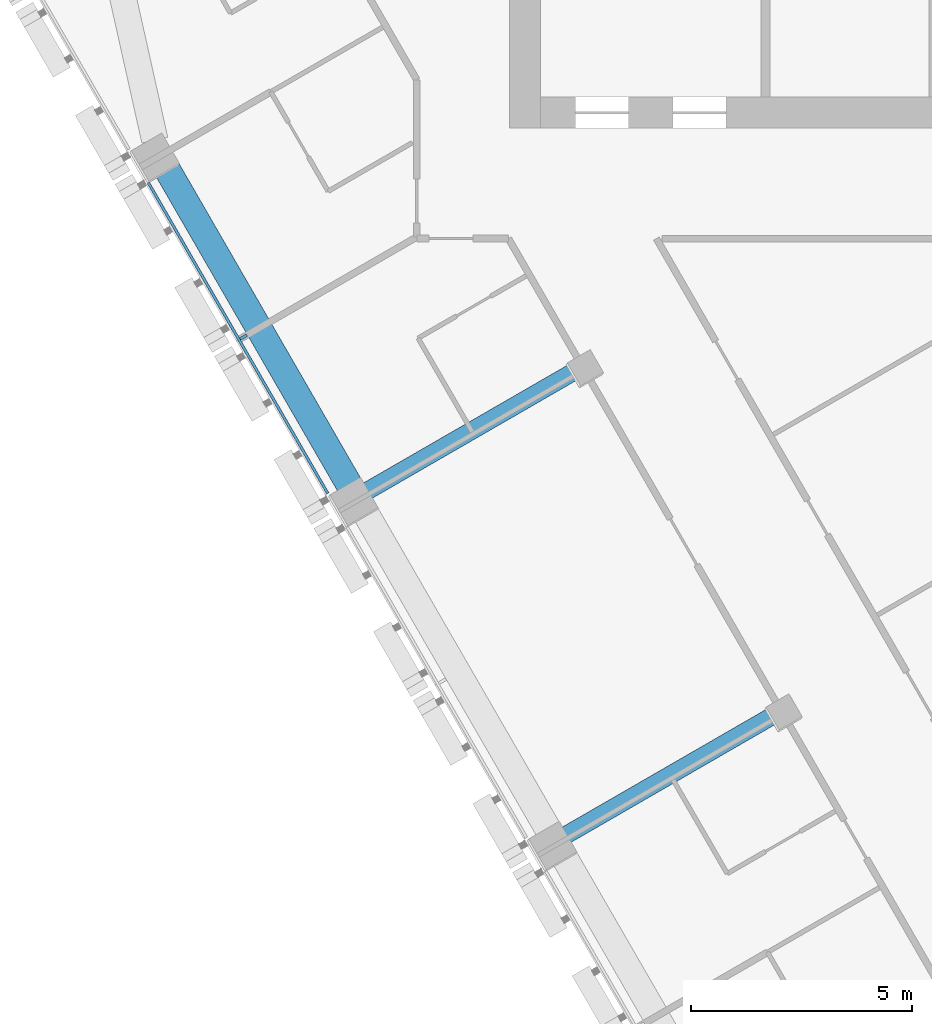
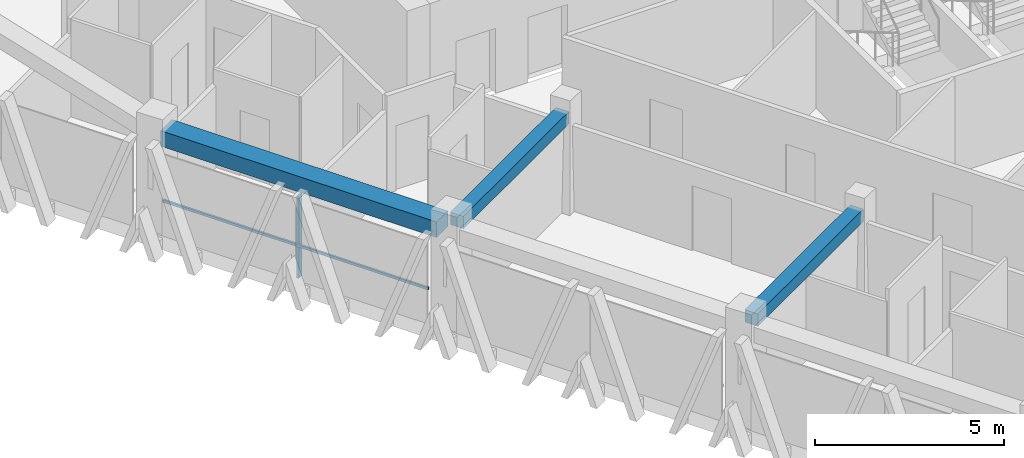
# One storey, part 3 of 16: 3 beams, 2 members, 1 element without a shape of its own.
"""IFC4 building model written with IfcOpenShell, lengths in metres."""

from ifc_helpers import new_model, si_unit, direction, frame, origin, origin_2d, place, context, subcontext, project, spatial, rectangle, extrude, material, layer, layer_set, material_profile, profile_set, type_object, element, aggregate, save


model = new_model("IFC4")

# Units and contexts
model_context = context("Model", 3, precision=1e-05, world=origin(), true_north=direction((0.0, 1.0)))
body_context = subcontext(model_context, "Body", "Model", "MODEL_VIEW")
ifc_project = project(units=[si_unit("LENGTHUNIT", "METRE"), si_unit("AREAUNIT", "SQUARE_METRE"), si_unit("VOLUMEUNIT", "CUBIC_METRE"), si_unit("PLANEANGLEUNIT", "RADIAN"), si_unit("MASSUNIT", "GRAM", prefix="KILO")], contexts=[model_context])

# Site, building, storey
site_placement = place(None, origin())
site = spatial("IfcSite", under=ifc_project, at=site_placement, CompositionType="ELEMENT")
building_placement = place(site_placement, origin())
building = spatial("IfcBuilding", under=site, at=building_placement, Name="Altiplano Prism Tower", CompositionType="ELEMENT")
storey_placement = place(building_placement, frame((0.0, 0.0, 198.0)))
storey = spatial("IfcBuildingStorey", under=building, at=storey_placement, Name="L51", CompositionType="ELEMENT", Elevation=198.0)

# Curtain wall, members
ifc_material_1 = material(Name="Aluminium and glass", Category="aluminium")
ifc_layer = layer(ifc_material_1, 0.280029296875)
ifc_layer_set = layer_set([ifc_layer], Name="Aluminium and glass")
curtain_wall_type = type_object("IfcCurtainWallType", Name="CW1 typical co-living unitised curtain wall", PredefinedType="NOTDEFINED", material=ifc_layer_set)
curtain_wall_placement = place(storey_placement, origin())
curtain_wall = element("IfcCurtainWall", 1, at=curtain_wall_placement, inside=storey, type_object=curtain_wall_type, Name="CW1 curtain wall south-west face L51", PredefinedType="NOTDEFINED")
ifc_material_2 = material(Name="Aluminium", Category="aluminium")
ifc_material_profile_1 = material_profile(ifc_material_2, rectangle(XDim=0.179931640625, YDim=0.06494140625, at=origin_2d()), Name="CW1 mullion 65 x 180")
ifc_profile_set_1 = profile_set([ifc_material_profile_1], Name="Aluminium")
member_type_1 = type_object("IfcMemberType", Name="CW1 mullion 65 x 180", PredefinedType="MULLION", material=ifc_profile_set_1)
member_1_placement = place(storey_placement, frame((66.277587890625, 87.97021484375, 0.0), z_axis=(0.0, 0.0, 1.0), x_axis=(0.86602540909, 0.49999999081, 0.0)))
member_1 = element("IfcMember", 2, at=member_1_placement, type_object=member_type_1, Name="CW1 mullion", PredefinedType="MULLION", context=body_context, shape_type="SweptSolid", body=[
    extrude(rectangle(XDim=0.179931640625, YDim=0.06494140625, at=origin_2d()), origin(), (0.0, 0.0, 1.0), 2.64990234375),
])
ifc_material_profile_2 = material_profile(ifc_material_2, rectangle(XDim=0.06005859375, YDim=0.080078125, at=origin_2d()), Name="CW1 transom 80 x 60")
ifc_profile_set_2 = profile_set([ifc_material_profile_2], Name="Aluminium")
member_type_2 = type_object("IfcMemberType", Name="CW1 transom 80 x 60", PredefinedType="USERDEFINED", material=ifc_profile_set_2)
member_2_placement = place(storey_placement, frame((64.1240234375, 91.46044921875, 1.10009765625), z_axis=(0.499977514064, -0.866038385657, 0.0), x_axis=(0.866038385657, 0.499977514064, 0.0)))
member_2 = element("IfcMember", 3, at=member_2_placement, type_object=member_type_2, Name="CW1 transom", ObjectType="TRANSOM", PredefinedType="USERDEFINED", context=body_context, shape_type="SweptSolid", body=[
    extrude(rectangle(XDim=0.06005859375, YDim=0.080078125, at=origin_2d()), origin(), (0.0, 0.0, 1.0), 8.119873046875),
])
aggregate(curtain_wall, [member_1, member_2])

# Beams
ifc_material_3 = material(Name="Concrete C60/75", Category="concrete")
ifc_material_profile_3 = material_profile(ifc_material_3, rectangle(XDim=0.60009765625, YDim=0.5, at=origin_2d()), Name="Edge beam 600x500")
ifc_profile_set_3 = profile_set([ifc_material_profile_3], Name="Concrete C60/75")
beam_type_1 = type_object("IfcBeamType", Name="Edge beam 600x500", PredefinedType="SPANDREL", material=ifc_profile_set_3)
beam_1_placement = place(storey_placement, frame((64.47265625, 91.893310546875, 2.89990234375), z_axis=(0.499993714791, -0.866029032521, 0.0), x_axis=(0.866029032521, 0.499993714791, 0.0)))
element("IfcBeam", 4, at=beam_1_placement, inside=storey, type_object=beam_type_1, Name="Edge beam P11-P12 L52", PredefinedType="SPANDREL", context=body_context, shape_type="SweptSolid", body=[
    extrude(rectangle(XDim=0.60009765625, YDim=0.5, at=origin_2d()), origin(), (0.0, 0.0, 1.0), 8.43994140625),
])
ifc_material_profile_4 = material_profile(ifc_material_3, rectangle(XDim=0.39990234375, YDim=0.39990234375, at=origin_2d()), Name="Tie beam 400x400")
ifc_profile_set_4 = profile_set([ifc_material_profile_4], Name="Concrete C60/75")
beam_type_2 = type_object("IfcBeamType", Name="Tie beam 400x400", PredefinedType="BEAM", material=ifc_profile_set_4)
beam_2_placement = place(storey_placement, frame((73.916259765625, 87.276611328125, 2.949951171875), z_axis=(-0.866030670444, -0.499990877767, 0.0), x_axis=(0.499990877767, -0.866030670444, 0.0)))
element("IfcBeam", 5, at=beam_2_placement, inside=storey, type_object=beam_type_2, Name="Tie beam I12 L52", PredefinedType="BEAM", context=body_context, shape_type="SweptSolid", body=[
    extrude(rectangle(XDim=0.39990234375, YDim=0.39990234375, at=origin_2d()), origin(), (0.0, 0.0, 1.0), 5.58984375),
])
beam_3_placement = place(storey_placement, frame((78.416259765625, 79.482421875, 2.949951171875), z_axis=(-0.866011758658, -0.500023633308, 0.0), x_axis=(0.500023633308, -0.866011758658, 0.0)))
element("IfcBeam", 6, at=beam_3_placement, inside=storey, type_object=beam_type_2, Name="Tie beam I13 L52", PredefinedType="BEAM", context=body_context, shape_type="SweptSolid", body=[
    extrude(rectangle(XDim=0.39990234375, YDim=0.39990234375, at=origin_2d()), origin(), (0.0, 0.0, 1.0), 5.590087890625),
])

save(model, "model.ifc")
